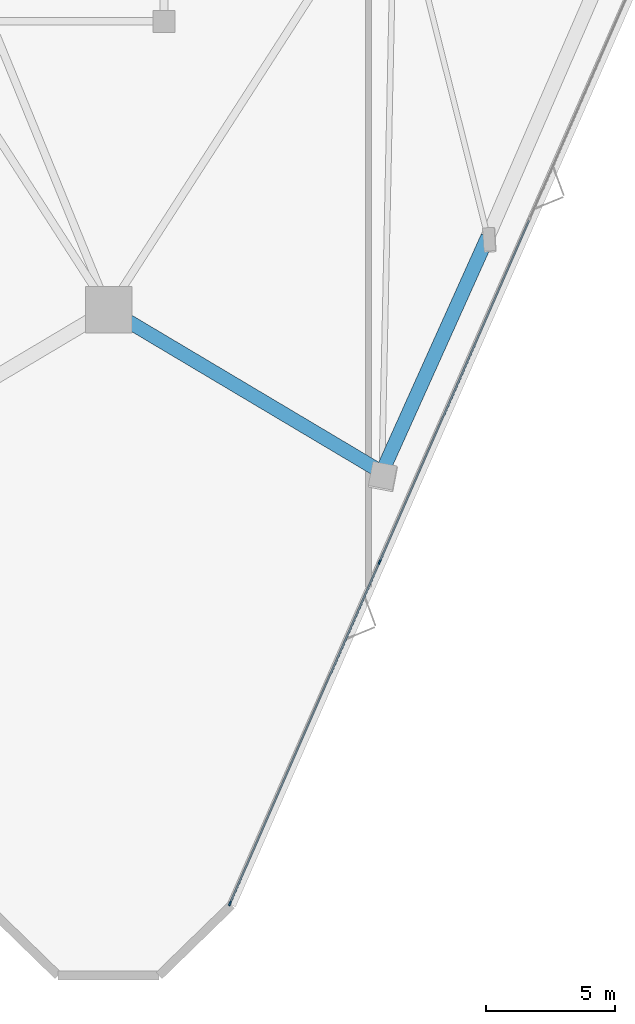
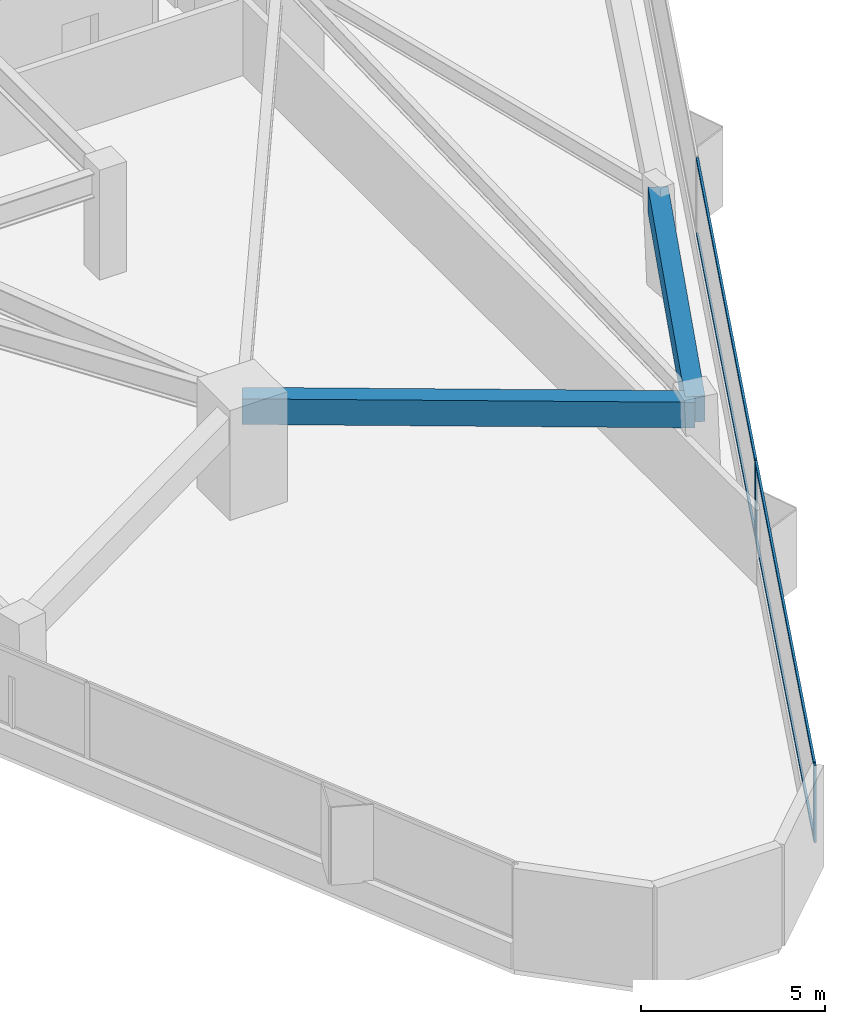
# One storey, part 4 of 20: 6 members, 2 beams, 1 element without a shape of its own.
"""IFC4 building model written with IfcOpenShell, lengths in metres."""

import ifcopenshell
import ifcopenshell.guid

model = None  # the IFC model being written
_history = None  # IfcOwnerHistory: only IFC2X3 demands one
_inside = {}  # id of a spatial element -> (the spatial element, [elements in it])
_under = {}  # id of a project, library or spatial element -> (it, [spatial elements below it])
_declared = {}  # id of a project -> (the project, [libraries it declares])
_typed = {}  # id of a type object -> (the type object, [elements of that type])
_made_of = {}  # id of a material, layer set ... -> (it, [elements and type objects made of it])


def new_model(schema):
    """Start an empty IFC model of exactly this schema.

    Asked for "IFC4X3", IfcOpenShell would pick the latest addendum, in which some entities
    have other attributes; the version numbers below select the first issue.
    IFC2X3 requires an IfcOwnerHistory on every rooted entity: one is made here for all.
    """
    global model, _history
    if schema == "IFC4X3":
        model = ifcopenshell.file(schema_version=(4, 3, 0, 0))
    else:
        model = ifcopenshell.file(schema=schema)
    _inside.clear()
    _under.clear()
    _declared.clear()
    _typed.clear()
    _made_of.clear()
    _history = None
    if model.schema == "IFC2X3":
        org = make("IfcOrganization", Name="unknown")
        user = make(
            "IfcPersonAndOrganization",
            ThePerson=make("IfcPerson", FamilyName="unknown"),
            TheOrganization=org,
        )
        app = make(
            "IfcApplication",
            ApplicationDeveloper=org,
            Version="unknown",
            ApplicationFullName="unknown",
            ApplicationIdentifier="unknown",
        )
        _history = make(
            "IfcOwnerHistory",
            OwningUser=user,
            OwningApplication=app,
            ChangeAction="ADDED",
            CreationDate=0,
        )
    return model


def make(cls, **values):
    """One entity of the class cls with the attributes given. An attribute that is None is left unset."""
    return model.create_entity(
        cls, **{name: value for name, value in values.items() if value is not None}
    )


def rooted(cls, **values):
    """An entity with a GlobalId (a new one), such as an element, a storey or a relation."""
    return make(cls, GlobalId=ifcopenshell.guid.new(), OwnerHistory=_history, **values)


def si_unit(unit_type, name, prefix=None):
    """IfcSIUnit, for example si_unit("LENGTHUNIT", "METRE", prefix="MILLI")."""
    return make("IfcSIUnit", UnitType=unit_type, Prefix=prefix, Name=name)


def assignment(units):
    """IfcUnitAssignment: the units of a project."""
    return None if units is None else make("IfcUnitAssignment", Units=units)


def point(xyz):
    """IfcCartesianPoint."""
    return None if xyz is None else make("IfcCartesianPoint", Coordinates=xyz)


def direction(xyz):
    """IfcDirection."""
    return None if xyz is None else make("IfcDirection", DirectionRatios=xyz)


def frame(location, z_axis=None, x_axis=None):
    """IfcAxis2Placement3D, a coordinate frame: its origin and axes. An axis left out is left unset."""
    return make(
        "IfcAxis2Placement3D",
        Location=point(location),
        Axis=direction(z_axis),
        RefDirection=direction(x_axis),
    )


def frame_2d(location, x_axis=None):
    """IfcAxis2Placement2D, a coordinate frame in the plane: its origin and x axis."""
    return make(
        "IfcAxis2Placement2D", Location=point(location), RefDirection=direction(x_axis)
    )


def origin():
    """The frame at (0, 0, 0) with its axes left unset."""
    return frame((0.0, 0.0, 0.0))


def origin_2d():
    """The frame at (0, 0) in the plane with its x axis left unset."""
    return frame_2d((0.0, 0.0))


def place(relative_to, where):
    """IfcLocalPlacement: puts the frame where relative to a parent placement (None: the world)."""
    return make(
        "IfcLocalPlacement", PlacementRelTo=relative_to, RelativePlacement=where
    )


def context(
    kind, dimensions, precision=None, world=None, true_north=None, identifier=None
):
    """IfcGeometricRepresentationContext, for example the 3D "Model" context."""
    return make(
        "IfcGeometricRepresentationContext",
        ContextIdentifier=identifier,
        ContextType=kind,
        CoordinateSpaceDimension=dimensions,
        Precision=precision,
        WorldCoordinateSystem=world,
        TrueNorth=true_north,
    )


def subcontext(parent, identifier, kind, view, scale=None):
    """IfcGeometricRepresentationSubContext, for example "Body" below "Model"."""
    return make(
        "IfcGeometricRepresentationSubContext",
        ContextIdentifier=identifier,
        ContextType=kind,
        ParentContext=parent,
        TargetScale=scale,
        TargetView=view,
    )


def project(units=None, contexts=None):
    """IfcProject with its units and contexts."""
    return rooted(
        "IfcProject",
        Name="project",
        RepresentationContexts=contexts,
        UnitsInContext=assignment(units),
    )


def spatial(cls, under=None, at=None, **own):
    """A site, building, storey or space (cls), placed at a placement, below another one or the project."""
    s = rooted(cls, ObjectPlacement=at, **own)
    if under is not None:
        _under.setdefault(under.id(), (under, []))[1].append(s)
    return s


def profile(cls, at=None, kind="AREA", **sizes):
    """A parametric profile (cls). Its sizes go by their IFC names, for example OverallWidth=200.0."""
    return make(cls, ProfileType=kind, Position=at, **sizes)


def rectangle(**sizes):
    """IfcRectangleProfileDef."""
    return profile("IfcRectangleProfileDef", **sizes)


def extrude(swept, where, along, depth):
    """IfcExtrudedAreaSolid: the profile swept, set in the frame where, extruded along a direction by depth."""
    return make(
        "IfcExtrudedAreaSolid",
        SweptArea=swept,
        Position=where,
        ExtrudedDirection=direction(along),
        Depth=depth,
    )


def shape(context_of_items, identifier, shape_type, items):
    """IfcShapeRepresentation: the items that make up one representation, for example the "Body"."""
    return make(
        "IfcShapeRepresentation",
        ContextOfItems=context_of_items,
        RepresentationIdentifier=identifier,
        RepresentationType=shape_type,
        Items=items,
    )


def material(Name=None, Category=None):
    """IfcMaterial."""
    return make("IfcMaterial", Name=Name, Category=Category)


def layer(
    of_material, thickness, ventilated=None, Name=None, Category=None, Priority=None
):
    """IfcMaterialLayer: one layer of a wall or slab, of a material (None: an air gap)."""
    return make(
        "IfcMaterialLayer",
        Material=of_material,
        LayerThickness=thickness,
        IsVentilated=ventilated,
        Name=Name,
        Category=Category,
        Priority=Priority,
    )


def layer_set(layers, Name=None):
    """IfcMaterialLayerSet."""
    return make("IfcMaterialLayerSet", MaterialLayers=layers, LayerSetName=Name)


def material_profile(
    of_material, cross_section, Name=None, Category=None, Priority=None
):
    """IfcMaterialProfile: a cross section and its material."""
    return make(
        "IfcMaterialProfile",
        Name=Name,
        Material=of_material,
        Profile=cross_section,
        Priority=Priority,
        Category=Category,
    )


def profile_set(profiles, Name=None, composite=None):
    """IfcMaterialProfileSet."""
    return make(
        "IfcMaterialProfileSet",
        Name=Name,
        MaterialProfiles=profiles,
        CompositeProfile=composite,
    )


def made_of(thing, what):
    """Note that an element or type object is made of a material, layer set ...; save() writes the relation."""
    if what is not None:
        _made_of.setdefault(what.id(), (what, []))[1].append(thing)
    return thing


def type_object(cls, material=None, **own):
    """A type object (cls), such as IfcWallType, which elements share."""
    return made_of(rooted(cls, **own), material)


def element(
    cls,
    number,
    at=None,
    inside=None,
    cuts=None,
    type_object=None,
    material=None,
    context=None,
    identifier="Body",
    shape_type=None,
    held_by="IfcProductDefinitionShape",
    body=None,
    shapes=None,
    **own,
):
    """One element of the class cls, such as IfcWall. Its Tag is "e" and its number.

    at: its placement. inside: the storey or other place that contains it. cuts: it is an
    opening in that element (IfcRelVoidsElement). A single representation is given by context,
    identifier, shape_type and body (its items); several are given by shapes. held_by: the class
    of the entity that holds the representations. save() writes the other relations.
    """
    e = rooted(cls, Tag="e%d" % number, ObjectPlacement=at, **own)
    if body is not None:
        shapes = [shape(context, identifier, shape_type, body)]
    if shapes is not None:
        e.Representation = make(held_by, Representations=shapes)
    if inside is not None:
        _inside.setdefault(inside.id(), (inside, []))[1].append(e)
    if cuts is not None:
        rooted(
            "IfcRelVoidsElement", RelatingBuildingElement=cuts, RelatedOpeningElement=e
        )
    if type_object is not None:
        _typed.setdefault(type_object.id(), (type_object, []))[1].append(e)
    return made_of(e, material)


def aggregate(whole, parts):
    """IfcRelAggregates: a whole, such as a stair, and the parts it consists of."""
    return rooted("IfcRelAggregates", RelatingObject=whole, RelatedObjects=parts)


def save(model, path):
    """Write the relations noted so far, then the file.

    IfcRelAggregates (storeys below a building ...), IfcRelContainedInSpatialStructure (elements
    in a storey), IfcRelDefinesByType, IfcRelAssociatesMaterial and IfcRelDeclares: one each for
    every whole, place, type object, material and project.
    """
    for whole, parts in _under.values():
        aggregate(whole, parts)
    for where, things in _inside.values():
        rooted(
            "IfcRelContainedInSpatialStructure",
            RelatedElements=things,
            RelatingStructure=where,
        )
    for kind, things in _typed.values():
        rooted("IfcRelDefinesByType", RelatedObjects=things, RelatingType=kind)
    for what, things in _made_of.values():
        rooted("IfcRelAssociatesMaterial", RelatedObjects=things, RelatingMaterial=what)
    for by, libraries in _declared.values():
        rooted("IfcRelDeclares", RelatingContext=by, RelatedDefinitions=libraries)
    model.write(path)


model = new_model("IFC4")

# Units and contexts
model_context = context("Model", 3, precision=1e-05, world=origin(), true_north=direction((0.0, 1.0)))
body_context = subcontext(model_context, "Body", "Model", "MODEL_VIEW")
ifc_project = project(units=[si_unit("LENGTHUNIT", "METRE"), si_unit("AREAUNIT", "SQUARE_METRE"), si_unit("VOLUMEUNIT", "CUBIC_METRE"), si_unit("PLANEANGLEUNIT", "RADIAN"), si_unit("MASSUNIT", "GRAM", prefix="KILO")], contexts=[model_context])

# Site, building, storey
site_placement = place(None, origin())
site = spatial("IfcSite", under=ifc_project, at=site_placement, CompositionType="ELEMENT")
building_placement = place(site_placement, origin())
building = spatial("IfcBuilding", under=site, at=building_placement, Name="Talyreon Biosciences Tower", CompositionType="ELEMENT")
storey_placement = place(building_placement, frame((0.0, 0.0, 41.050048828125)))
storey = spatial("IfcBuildingStorey", under=building, at=storey_placement, Name="L10", CompositionType="ELEMENT", Elevation=41.050048828125)

# Curtain wall, members
ifc_material_1 = material(Name="Thermally broken aluminium and low-E glazing", Category="aluminium")
ifc_layer = layer(ifc_material_1, 0.195068359375)
ifc_layer_set = layer_set([ifc_layer], Name="Thermally broken aluminium and low-E glazing")
curtain_wall_type = type_object("IfcCurtainWallType", Name="CurtainWall_Zone1WetLab", PredefinedType="NOTDEFINED", material=ifc_layer_set)
curtain_wall_placement = place(storey_placement, origin())
curtain_wall = element("IfcCurtainWall", 1, at=curtain_wall_placement, inside=storey, type_object=curtain_wall_type, Name="L10 Unitised Curtain Wall FCW-L10-08", PredefinedType="NOTDEFINED")
ifc_material_2 = material(Name="Anodised thermally broken aluminium", Category="aluminium")
ifc_material_profile_1 = material_profile(ifc_material_2, rectangle(XDim=0.06494140625, YDim=0.179931640625, at=origin_2d()), Name="ALUM MULLION 65x180")
ifc_profile_set_1 = profile_set([ifc_material_profile_1], Name="Anodised thermally broken aluminium")
member_type_1 = type_object("IfcMemberType", Name="CWMullion_65x180", PredefinedType="MULLION", material=ifc_profile_set_1)
member_1_placement = place(storey_placement, frame((76.4990234375, 31.884033203125, 0.81005859375), z_axis=(0.0, 0.0, 1.0), x_axis=(0.915980408101, -0.401222995321, 0.0)))
member_1 = element("IfcMember", 2, at=member_1_placement, type_object=member_type_1, Name="CW2 mullion 5", PredefinedType="MULLION", context=body_context, shape_type="SweptSolid", body=[
    extrude(rectangle(XDim=0.06494140625, YDim=0.179931640625, at=origin_2d()), origin(), (0.0, 0.0, 1.0), 2.56494140625),
])
member_2_placement = place(storey_placement, frame((70.702880859375, 18.651611328125, 0.81005859375), z_axis=(0.0, 0.0, 1.0), x_axis=(0.915980408101, -0.401222995321, 0.0)))
member_2 = element("IfcMember", 3, at=member_2_placement, type_object=member_type_1, Name="CW2 mullion 6", PredefinedType="MULLION", context=body_context, shape_type="SweptSolid", body=[
    extrude(rectangle(XDim=0.06494140625, YDim=0.179931640625, at=origin_2d()), origin(), (0.0, 0.0, 1.0), 2.56494140625),
])
ifc_material_profile_2 = material_profile(ifc_material_2, rectangle(XDim=0.06494140625, YDim=0.139892578125, at=origin_2d()), Name="ALUM TRANSOM 65x140")
ifc_profile_set_2 = profile_set([ifc_material_profile_2], Name="Anodised thermally broken aluminium")
member_type_2 = type_object("IfcMemberType", Name="CWTransom_65x140", PredefinedType="USERDEFINED", material=ifc_profile_set_2)
member_3_placement = place(storey_placement, frame((82.295166015625, 45.11669921875, 0.842529296875), z_axis=(-0.401223081321, -0.915980370431, 0.0), x_axis=(0.915980370431, -0.401223081321, 0.0)))
member_3 = element("IfcMember", 4, at=member_3_placement, type_object=member_type_2, Name="CW2 transom 4.1", ObjectType="TRANSOM", PredefinedType="USERDEFINED", context=body_context, shape_type="SweptSolid", body=[
    extrude(rectangle(XDim=0.06494140625, YDim=0.139892578125, at=origin_2d()), origin(), (0.0, 0.0, 1.0), 14.413818359375),
])
member_4_placement = place(storey_placement, frame((82.295166015625, 45.11669921875, 3.342529296875), z_axis=(-0.401223081321, -0.915980370431, 0.0), x_axis=(0.915980370431, -0.401223081321, 0.0)))
member_4 = element("IfcMember", 5, at=member_4_placement, type_object=member_type_2, Name="CW2 transom 4.2", ObjectType="TRANSOM", PredefinedType="USERDEFINED", context=body_context, shape_type="SweptSolid", body=[
    extrude(rectangle(XDim=0.06494140625, YDim=0.139892578125, at=origin_2d()), origin(), (0.0, 0.0, 1.0), 14.413818359375),
])
member_5_placement = place(storey_placement, frame((76.486083984375, 31.854248046875, 0.842529296875), z_axis=(-0.401235575377, -0.91597489761, 0.0), x_axis=(0.91597489761, -0.401235575377, 0.0)))
member_5 = element("IfcMember", 6, at=member_5_placement, type_object=member_type_2, Name="CW2 transom 5.1", ObjectType="TRANSOM", PredefinedType="USERDEFINED", context=body_context, shape_type="SweptSolid", body=[
    extrude(rectangle(XDim=0.06494140625, YDim=0.139892578125, at=origin_2d()), origin(), (0.0, 0.0, 1.0), 14.38134765625),
])
member_6_placement = place(storey_placement, frame((76.486083984375, 31.854248046875, 3.342529296875), z_axis=(-0.401235575377, -0.91597489761, 0.0), x_axis=(0.91597489761, -0.401235575377, 0.0)))
member_6 = element("IfcMember", 7, at=member_6_placement, type_object=member_type_2, Name="CW2 transom 5.2", ObjectType="TRANSOM", PredefinedType="USERDEFINED", context=body_context, shape_type="SweptSolid", body=[
    extrude(rectangle(XDim=0.06494140625, YDim=0.139892578125, at=origin_2d()), origin(), (0.0, 0.0, 1.0), 14.38134765625),
])
aggregate(curtain_wall, [member_1, member_2, member_3, member_4, member_5, member_6])

# Beams
ifc_material_3 = material(Name="Precast concrete C45/55", Category="concrete")
ifc_material_profile_3 = material_profile(ifc_material_3, rectangle(XDim=0.550048828125, YDim=0.85009765625, at=origin_2d()), Name="RCB 550x850")
ifc_profile_set_3 = profile_set([ifc_material_profile_3], Name="Precast concrete C45/55")
beam_type = type_object("IfcBeamType", Name="ExpressedSpandrel_550x850", PredefinedType="SPANDREL", material=ifc_profile_set_3)
beam_1_placement = place(storey_placement, frame((66.0, 41.6669921875, 2.949951171875), z_axis=(0.859300139655, -0.51147167076, 0.0), x_axis=(0.51147167076, 0.859300139655, 0.0)))
element("IfcBeam", 8, at=beam_1_placement, inside=storey, type_object=beam_type, Name="L10 Expressed Horizontal Concrete Spandrel 01", PredefinedType="SPANDREL", context=body_context, shape_type="SweptSolid", body=[
    extrude(rectangle(XDim=0.550048828125, YDim=0.85009765625, at=origin_2d()), origin(), (0.0, 0.0, 1.0), 12.32470703125),
])
beam_2_placement = place(storey_placement, frame((76.590576171875, 35.36328125, 2.949951171875), z_axis=(0.410270325307, 0.911963957716, 0.0), x_axis=(-0.911963957716, 0.410270325307, 0.0)))
element("IfcBeam", 9, at=beam_2_placement, inside=storey, type_object=beam_type, Name="L10 Expressed Horizontal Concrete Spandrel 02", PredefinedType="SPANDREL", context=body_context, shape_type="SweptSolid", body=[
    extrude(rectangle(XDim=0.550048828125, YDim=0.85009765625, at=origin_2d()), origin(), (0.0, 0.0, 1.0), 10.006103515625),
])

save(model, "model.ifc")
